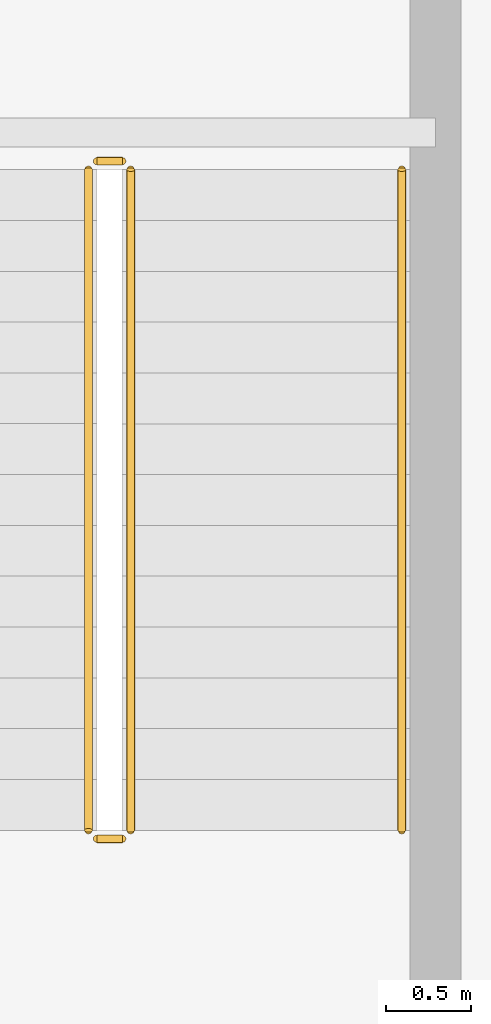
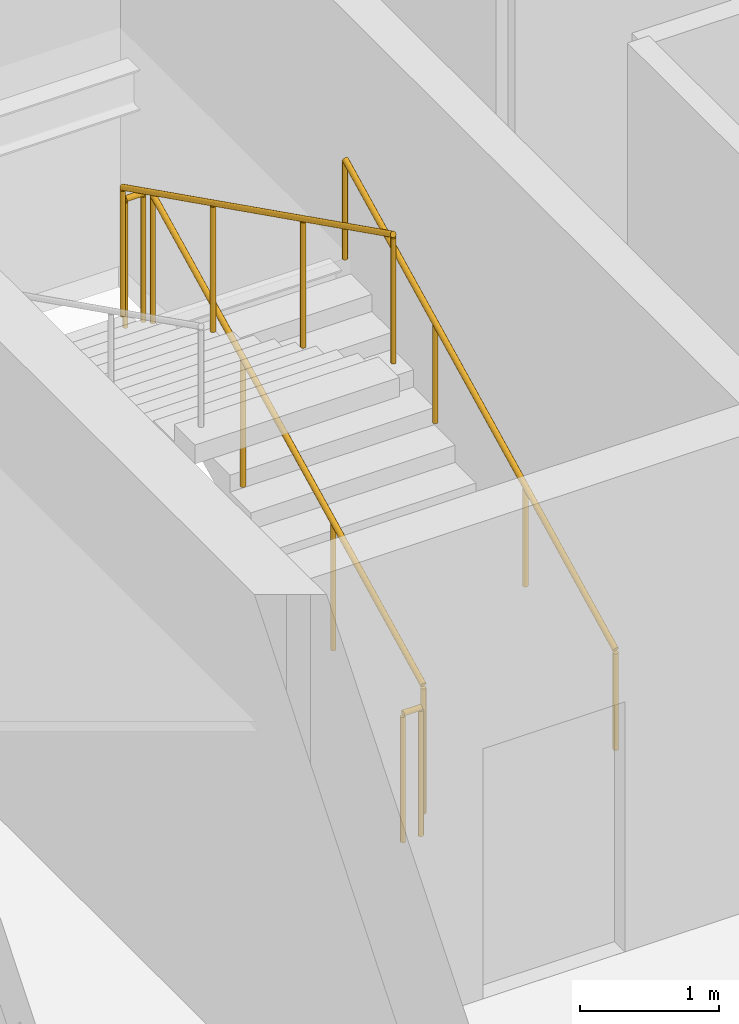
# One storey, part 39 of 42: 5 railings.
"""IFC4 building model written with IfcOpenShell, lengths in metres."""

from ifc_helpers import new_model, si_unit, direction, frame, origin, origin_2d, place, context, subcontext, project, spatial, circle, extrude, material, type_object, element, save


model = new_model("IFC4")

# Units and contexts
model_context = context("Model", 3, precision=1e-05, world=origin(), true_north=direction((0.0, 1.0)))
body_context = subcontext(model_context, "Body", "Model", "MODEL_VIEW")
ifc_project = project(units=[si_unit("LENGTHUNIT", "METRE"), si_unit("AREAUNIT", "SQUARE_METRE"), si_unit("VOLUMEUNIT", "CUBIC_METRE"), si_unit("PLANEANGLEUNIT", "RADIAN"), si_unit("MASSUNIT", "GRAM", prefix="KILO")], contexts=[model_context])

# Site, building, storey
site_placement = place(None, origin())
site = spatial("IfcSite", under=ifc_project, at=site_placement, CompositionType="ELEMENT")
building_placement = place(site_placement, origin())
building = spatial("IfcBuilding", under=site, at=building_placement, Name="Punatoya Terracotta Tower", CompositionType="ELEMENT")
storey_placement = place(building_placement, frame((0.0, 0.0, 325.800048828125)))
storey = spatial("IfcBuildingStorey", under=building, at=storey_placement, Name="L77", CompositionType="ELEMENT", Elevation=325.800048828125)

# Railings
ifc_material = material(Name="Steel S355", Category="steel")
railing_type_1 = type_object("IfcRailingType", Name="RLG-GRD-1150", PredefinedType="GUARDRAIL", material=ifc_material)
railing_1_placement = place(storey_placement, frame((-7.85009765625, -3.800048828125, 0.14990234375)))
element("IfcRailing", 1, at=railing_1_placement, inside=storey, type_object=railing_type_1, Name="L77 ST-1 stair guard 1", PredefinedType="GUARDRAIL", context=body_context, shape_type="SweptSolid", body=[
    extrude(circle(Radius=0.02392578125, at=origin_2d()), frame((0.0, 0.0, 1.1259765625), z_axis=(0.0, 0.894438388696, 0.447191199406), x_axis=(-1.0, 0.0, 0.0)), (0.0, 0.0, 1.0), 4.3603515625),
    extrude(circle(Radius=0.02099609375, at=origin_2d()), origin(), (0.0, 0.0, 1.0), 1.101806640625),
    extrude(circle(Radius=0.02099609375, at=origin_2d()), frame((0.0, 1.300048828125, 0.64990234375)), (0.0, 0.0, 1.0), 1.101806640625),
    extrude(circle(Radius=0.02099609375, at=origin_2d()), frame((0.0, 2.60009765625, 1.300048828125)), (0.0, 0.0, 1.0), 1.101806640625),
    extrude(circle(Radius=0.02099609375, at=origin_2d()), frame((0.0, 3.900146484375, 1.949951171875)), (0.0, 0.0, 1.0), 1.101806640625),
])
railing_2_placement = place(storey_placement, frame((-7.89990234375, 0.14990234375, 2.099853515625)))
element("IfcRailing", 2, at=railing_2_placement, inside=storey, type_object=railing_type_1, Name="L77 ST-1 stair guard 2", PredefinedType="GUARDRAIL", context=body_context, shape_type="SweptSolid", body=[
    extrude(circle(Radius=0.02392578125, at=origin_2d()), frame((0.0, 0.0, 1.1259765625), z_axis=(-1.0, 0.0, 0.0), x_axis=(0.0, -1.0, 0.0)), (0.0, 0.0, 1.0), 0.150146484375),
    extrude(circle(Radius=0.02099609375, at=origin_2d()), origin(), (0.0, 0.0, 1.0), 1.101806640625),
    extrude(circle(Radius=0.02099609375, at=origin_2d()), frame((-0.150146484375, 0.0, 0.0)), (0.0, 0.0, 1.0), 1.101806640625),
])
railing_3_placement = place(storey_placement, frame((-8.10009765625, 0.10009765625, 2.25)))
element("IfcRailing", 3, at=railing_3_placement, inside=storey, type_object=railing_type_1, Name="L77 ST-1 stair guard 3", PredefinedType="GUARDRAIL", context=body_context, shape_type="SweptSolid", body=[
    extrude(circle(Radius=0.02392578125, at=origin_2d()), frame((0.0, 0.0, 1.1259765625), z_axis=(0.0, -0.894438388696, 0.447191199406), x_axis=(1.0, 0.0, 0.0)), (0.0, 0.0, 1.0), 4.3603515625),
    extrude(circle(Radius=0.02099609375, at=origin_2d()), origin(), (0.0, 0.0, 1.0), 1.101806640625),
    extrude(circle(Radius=0.02099609375, at=origin_2d()), frame((0.0, -1.300048828125, 0.64990234375)), (0.0, 0.0, 1.0), 1.101806640625),
    extrude(circle(Radius=0.02099609375, at=origin_2d()), frame((0.0, -2.60009765625, 1.300048828125)), (0.0, 0.0, 1.0), 1.101806640625),
    extrude(circle(Radius=0.02099609375, at=origin_2d()), frame((0.0, -3.900146484375, 1.949951171875)), (0.0, 0.0, 1.0), 1.101806640625),
])
railing_4_placement = place(storey_placement, frame((-7.89990234375, -3.85009765625, 0.0)))
element("IfcRailing", 4, at=railing_4_placement, inside=storey, type_object=railing_type_1, Name="L77 ST-1 stair guard 4", PredefinedType="GUARDRAIL", context=body_context, shape_type="SweptSolid", body=[
    extrude(circle(Radius=0.02392578125, at=origin_2d()), frame((0.0, 0.0, 1.1259765625), z_axis=(-1.0, 0.0, 0.0), x_axis=(0.0, -1.0, 0.0)), (0.0, 0.0, 1.0), 0.150146484375),
    extrude(circle(Radius=0.02099609375, at=origin_2d()), origin(), (0.0, 0.0, 1.0), 1.101806640625),
    extrude(circle(Radius=0.02099609375, at=origin_2d()), frame((-0.150146484375, 0.0, 0.0)), (0.0, 0.0, 1.0), 1.101806640625),
])
railing_type_2 = type_object("IfcRailingType", Name="RLG-HND-900", PredefinedType="HANDRAIL", material=ifc_material)
railing_5_placement = place(storey_placement, frame((-6.25, -3.800048828125, 0.14990234375)))
element("IfcRailing", 5, at=railing_5_placement, inside=storey, type_object=railing_type_2, Name="L77 ST-1 stair handrail 1", PredefinedType="HANDRAIL", context=body_context, shape_type="SweptSolid", body=[
    extrude(circle(Radius=0.02392578125, at=origin_2d()), frame((0.0, 0.0, 0.8759765625), z_axis=(0.0, 0.894438388696, 0.447191199406), x_axis=(-1.0, 0.0, 0.0)), (0.0, 0.0, 1.0), 4.3603515625),
    extrude(circle(Radius=0.02099609375, at=origin_2d()), origin(), (0.0, 0.0, 1.0), 0.851806640625),
    extrude(circle(Radius=0.02099609375, at=origin_2d()), frame((0.0, 1.300048828125, 0.64990234375)), (0.0, 0.0, 1.0), 0.851806640625),
    extrude(circle(Radius=0.02099609375, at=origin_2d()), frame((0.0, 2.60009765625, 1.300048828125)), (0.0, 0.0, 1.0), 0.851806640625),
    extrude(circle(Radius=0.02099609375, at=origin_2d()), frame((0.0, 3.900146484375, 1.949951171875)), (0.0, 0.0, 1.0), 0.851806640625),
])

save(model, "model.ifc")
